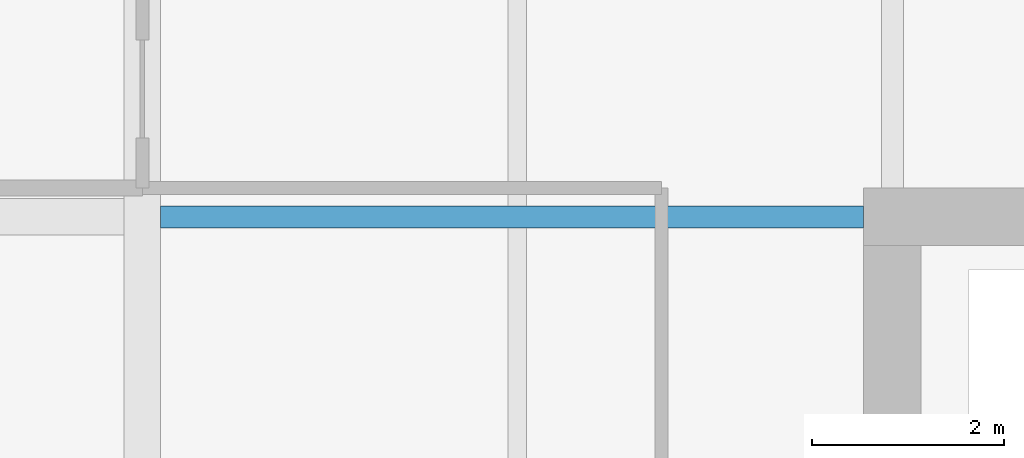
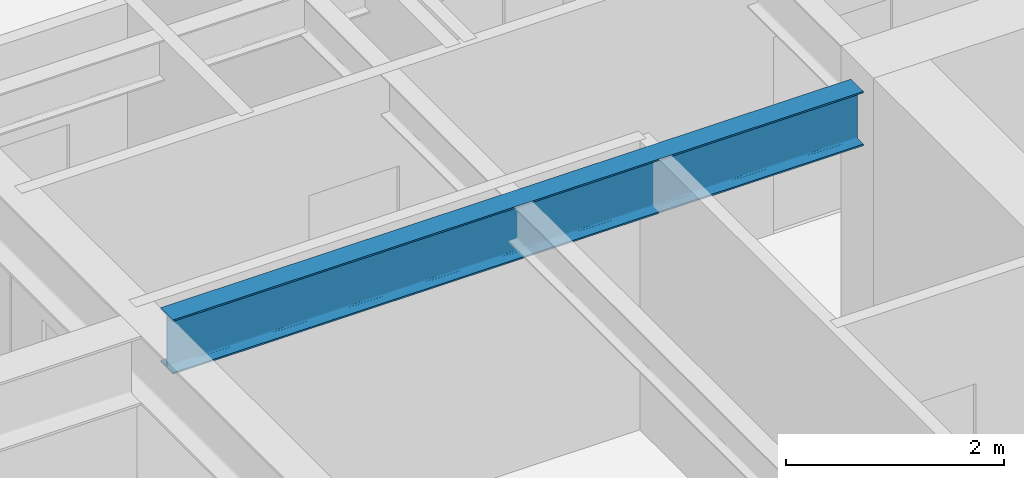
# One storey, part 17 of 35: 1 beam.
"""IFC4 building model written with IfcOpenShell, lengths in metres."""

from ifc_helpers import new_model, si_unit, direction, frame, origin, origin_2d, place, context, subcontext, project, spatial, i_section, extrude, material, material_profile, profile_set, type_object, element, save


model = new_model("IFC4")

# Units and contexts
model_context = context("Model", 3, precision=1e-05, world=origin(), true_north=direction((0.0, 1.0)))
body_context = subcontext(model_context, "Body", "Model", "MODEL_VIEW")
ifc_project = project(units=[si_unit("LENGTHUNIT", "METRE"), si_unit("AREAUNIT", "SQUARE_METRE"), si_unit("VOLUMEUNIT", "CUBIC_METRE"), si_unit("PLANEANGLEUNIT", "RADIAN"), si_unit("MASSUNIT", "GRAM", prefix="KILO")], contexts=[model_context])

# Site, building, storey
site_placement = place(None, origin())
site = spatial("IfcSite", under=ifc_project, at=site_placement, CompositionType="ELEMENT")
building_placement = place(site_placement, origin())
building = spatial("IfcBuilding", under=site, at=building_placement, Name="Drelvath Grand Hotel", CompositionType="ELEMENT")
storey_placement = place(building_placement, frame((0.0, 0.0, 98.800048828125)))
storey = spatial("IfcBuildingStorey", under=building, at=storey_placement, Name="L24", CompositionType="ELEMENT", Elevation=98.800048828125)

# Beam
ifc_material = material(Name="Steel ASTM A992 Gr 50", Category="steel")
ifc_material_profile = material_profile(ifc_material, i_section(OverallWidth=0.228271484375, OverallDepth=0.607666015625, WebThickness=0.01123046875, FlangeThickness=0.017333984375, FilletRadius=0.02001953125, at=origin_2d()), Name="W24X76")
ifc_profile_set = profile_set([ifc_material_profile], Name="Steel ASTM A992 Gr 50")
beam_type = type_object("IfcBeamType", Name="Primary Floor Girder W24X76", PredefinedType="BEAM", material=ifc_profile_set)
beam_placement = place(storey_placement, frame((-16.009765625, 35.39990234375, 2.93603515625), z_axis=(1.0, 0.0, 0.0), x_axis=(0.0, 1.0, 0.0)))
element("IfcBeam", 1, at=beam_placement, inside=storey, type_object=beam_type, Name="L24 West Core Tie F", PredefinedType="BEAM", context=body_context, shape_type="SweptSolid", body=[
    extrude(i_section(OverallWidth=0.228271484375, OverallDepth=0.607666015625, WebThickness=0.01123046875, FlangeThickness=0.017333984375, FilletRadius=0.02001953125, at=origin_2d()), origin(), (0.0, 0.0, 1.0), 7.309814453125),
])

save(model, "model.ifc")
